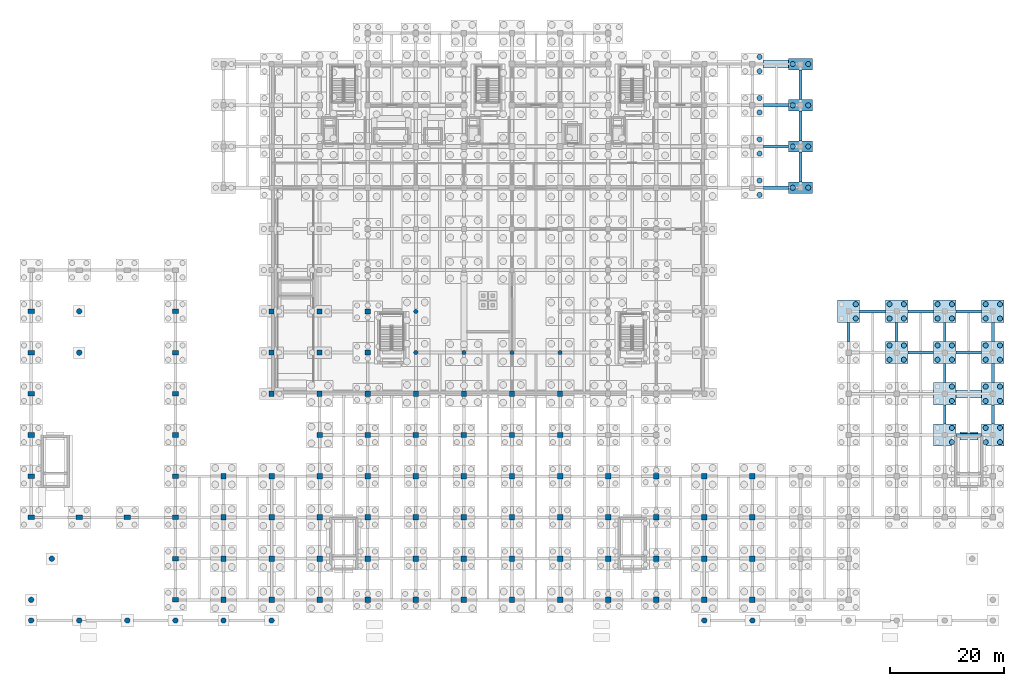
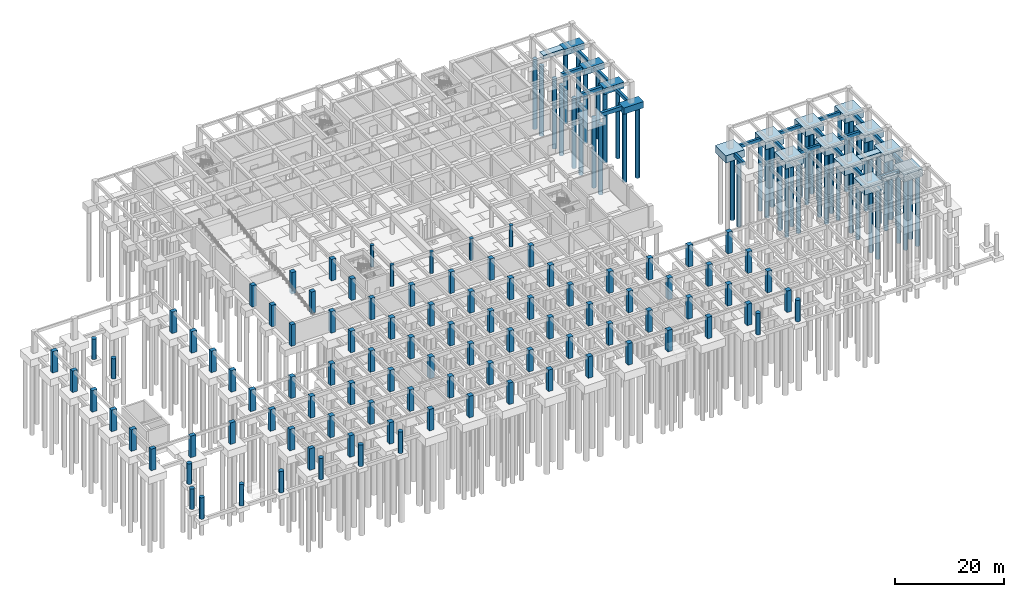
# One storey, part 11 of 26: 100 columns, 54 piles, 38 footings.
"""IFC4 building model written with IfcOpenShell, lengths in metres."""

from ifc_helpers import new_model, si_unit, direction, frame, origin, origin_2d, place, context, subcontext, project, spatial, rectangle, circle, extrude, material, material_profile, profile_set, type_object, element, save


model = new_model("IFC4")

# Units and contexts
model_context = context("Model", 3, precision=1e-05, world=origin(), true_north=direction((0.0, 1.0)))
body_context = subcontext(model_context, "Body", "Model", "MODEL_VIEW")
ifc_project = project(units=[si_unit("LENGTHUNIT", "METRE"), si_unit("AREAUNIT", "SQUARE_METRE"), si_unit("VOLUMEUNIT", "CUBIC_METRE"), si_unit("PLANEANGLEUNIT", "RADIAN"), si_unit("MASSUNIT", "GRAM", prefix="KILO")], contexts=[model_context])

# Site, building, storey
site_placement = place(None, origin())
site = spatial("IfcSite", under=ifc_project, at=site_placement, CompositionType="ELEMENT")
building_placement = place(site_placement, origin())
building = spatial("IfcBuilding", under=site, at=building_placement, Name="Kenerak Square Central Library", CompositionType="ELEMENT")
storey_placement = place(building_placement, frame((0.0, 0.0, -4.800048828125)))
storey = spatial("IfcBuildingStorey", under=building, at=storey_placement, Name="B1", CompositionType="ELEMENT", Elevation=-4.800048828125)

# Piles
ifc_material_1 = material(Name="Concrete C40/50", Category="concrete")
ifc_material_profile_1 = material_profile(ifc_material_1, circle(Radius=0.449951171875, at=origin_2d()), Name="BP D900")
ifc_profile_set_1 = profile_set([ifc_material_profile_1], Name="Concrete C40/50")
pile_type = type_object("IfcPileType", Name="Bored Pile D900 C40/50", PredefinedType="BORED", material=ifc_profile_set_1)
for number, where, z_axis, x_axis, name in (
    (1, (135.25, 87.550048828125, -1.5), (0.0, 0.0, -1.0), (1.0, 0.0, 0.0), "Bored Pile BP-900 0746"),
    (2, (135.25, 90.050048828125, -1.5), (0.0, 0.0, -1.0), (1.0, 0.0, 0.0), "Bored Pile BP-900 0748"),
    (3, (135.25, 94.75, -1.5), (0.0, 0.0, -1.0), (1.0, 0.0, 0.0), "Bored Pile BP-900 0750"),
    (4, (135.25, 97.25, -1.5), (0.0, 0.0, -1.0), (1.0, 0.0, 0.0), "Bored Pile BP-900 0752"),
    (5, (135.25, 101.949951171875, -1.5), (0.0, 0.0, -1.0), (1.0, 0.0, 0.0), "Bored Pile BP-900 0754"),
    (6, (135.25, 104.449951171875, -1.5), (0.0, 0.0, -1.0), (1.0, 0.0, 0.0), "Bored Pile BP-900 0756"),
    (7, (135.25, 109.14990234375, -1.5), (0.0, 0.0, -1.0), (1.0, 0.0, 0.0), "Bored Pile BP-900 0758"),
    (8, (135.25, 111.64990234375, -1.5), (0.0, 0.0, -1.0), (1.0, 0.0, 0.0), "Bored Pile BP-900 0760"),
):
    element("IfcPile", number, at=place(storey_placement, frame(where, z_axis=z_axis, x_axis=x_axis)), inside=storey, type_object=pile_type, Name=name, PredefinedType="BORED", context=body_context, shape_type="SweptSolid", body=[
        extrude(circle(Radius=0.449951171875, at=origin_2d()), origin(), (0.0, 0.0, 1.0), 15.699951171875),
    ])
for number, where, z_axis, x_axis, name in (
    (9, (141.050048828125, 88.800048828125, -1.300048828125), (0.0, 0.0, -1.0), (1.0, 0.0, 0.0), "Bored Pile BP-900 0777"),
    (10, (143.75, 88.800048828125, -1.300048828125), (0.0, 0.0, -1.0), (1.0, 0.0, 0.0), "Bored Pile BP-900 0778"),
    (11, (141.050048828125, 96.0, -1.300048828125), (0.0, 0.0, -1.0), (1.0, 0.0, 0.0), "Bored Pile BP-900 0779"),
    (12, (143.75, 96.0, -1.300048828125), (0.0, 0.0, -1.0), (1.0, 0.0, 0.0), "Bored Pile BP-900 0780"),
    (13, (141.050048828125, 103.199951171875, -1.300048828125), (0.0, 0.0, -1.0), (1.0, 0.0, 0.0), "Bored Pile BP-900 0781"),
    (14, (143.75, 103.199951171875, -1.300048828125), (0.0, 0.0, -1.0), (1.0, 0.0, 0.0), "Bored Pile BP-900 0782"),
    (15, (141.050048828125, 110.39990234375, -1.300048828125), (0.0, 0.0, -1.0), (1.0, 0.0, 0.0), "Bored Pile BP-900 0783"),
    (16, (143.75, 110.39990234375, -1.300048828125), (0.0, 0.0, -1.0), (1.0, 0.0, 0.0), "Bored Pile BP-900 0784"),
):
    element("IfcPile", number, at=place(storey_placement, frame(where, z_axis=z_axis, x_axis=x_axis)), inside=storey, type_object=pile_type, Name=name, PredefinedType="BORED", context=body_context, shape_type="SweptSolid", body=[
        extrude(circle(Radius=0.449951171875, at=origin_2d()), origin(), (0.0, 0.0, 1.0), 15.89990234375),
    ])
for number, where, z_axis, x_axis, name in (
    (17, (152.050048828125, 65.949951171875, -1.5), (0.0, 0.0, -1.0), (1.0, 0.0, 0.0), "Bored Pile BP-900 0814"),
    (18, (152.050048828125, 68.449951171875, -1.5), (0.0, 0.0, -1.0), (1.0, 0.0, 0.0), "Bored Pile BP-900 0816"),
    (19, (157.949951171875, 58.75, -1.5), (0.0, 0.0, -1.0), (1.0, 0.0, 0.0), "Bored Pile BP-900 0833"),
    (20, (160.449951171875, 58.75, -1.5), (0.0, 0.0, -1.0), (1.0, 0.0, 0.0), "Bored Pile BP-900 0834"),
    (21, (157.949951171875, 61.25, -1.5), (0.0, 0.0, -1.0), (1.0, 0.0, 0.0), "Bored Pile BP-900 0835"),
    (22, (160.449951171875, 61.25, -1.5), (0.0, 0.0, -1.0), (1.0, 0.0, 0.0), "Bored Pile BP-900 0836"),
    (23, (157.949951171875, 65.949951171875, -1.5), (0.0, 0.0, -1.0), (1.0, 0.0, 0.0), "Bored Pile BP-900 0837"),
    (24, (160.449951171875, 65.949951171875, -1.5), (0.0, 0.0, -1.0), (1.0, 0.0, 0.0), "Bored Pile BP-900 0838"),
    (25, (157.949951171875, 68.449951171875, -1.5), (0.0, 0.0, -1.0), (1.0, 0.0, 0.0), "Bored Pile BP-900 0839"),
    (26, (160.449951171875, 68.449951171875, -1.5), (0.0, 0.0, -1.0), (1.0, 0.0, 0.0), "Bored Pile BP-900 0840"),
    (27, (168.85009765625, 44.35009765625, -1.5), (0.0, 0.0, -1.0), (1.0, 0.0, 0.0), "Bored Pile BP-900 0850"),
    (28, (168.85009765625, 46.85009765625, -1.5), (0.0, 0.0, -1.0), (1.0, 0.0, 0.0), "Bored Pile BP-900 0852"),
    (29, (168.85009765625, 51.550048828125, -1.5), (0.0, 0.0, -1.0), (1.0, 0.0, 0.0), "Bored Pile BP-900 0854"),
    (30, (168.85009765625, 54.050048828125, -1.5), (0.0, 0.0, -1.0), (1.0, 0.0, 0.0), "Bored Pile BP-900 0856"),
    (31, (166.35009765625, 58.75, -1.5), (0.0, 0.0, -1.0), (1.0, 0.0, 0.0), "Bored Pile BP-900 0857"),
    (32, (168.85009765625, 58.75, -1.5), (0.0, 0.0, -1.0), (1.0, 0.0, 0.0), "Bored Pile BP-900 0858"),
    (33, (166.35009765625, 61.25, -1.5), (0.0, 0.0, -1.0), (1.0, 0.0, 0.0), "Bored Pile BP-900 0859"),
    (34, (168.85009765625, 61.25, -1.5), (0.0, 0.0, -1.0), (1.0, 0.0, 0.0), "Bored Pile BP-900 0860"),
    (35, (166.35009765625, 65.949951171875, -1.5), (0.0, 0.0, -1.0), (1.0, 0.0, 0.0), "Bored Pile BP-900 0861"),
    (36, (168.85009765625, 65.949951171875, -1.5), (0.0, 0.0, -1.0), (1.0, 0.0, 0.0), "Bored Pile BP-900 0862"),
    (37, (166.35009765625, 68.449951171875, -1.5), (0.0, 0.0, -1.0), (1.0, 0.0, 0.0), "Bored Pile BP-900 0863"),
    (38, (168.85009765625, 68.449951171875, -1.5), (0.0, 0.0, -1.0), (1.0, 0.0, 0.0), "Bored Pile BP-900 0864"),
    (39, (174.75, 44.35009765625, -1.5), (0.0, 0.0, -1.0), (1.0, 0.0, 0.0), "Bored Pile BP-900 0873"),
    (40, (177.25, 44.35009765625, -1.5), (0.0, 0.0, -1.0), (1.0, 0.0, 0.0), "Bored Pile BP-900 0874"),
    (41, (174.75, 46.85009765625, -1.5), (0.0, 0.0, -1.0), (1.0, 0.0, 0.0), "Bored Pile BP-900 0875"),
    (42, (177.25, 46.85009765625, -1.5), (0.0, 0.0, -1.0), (1.0, 0.0, 0.0), "Bored Pile BP-900 0876"),
    (43, (174.75, 51.550048828125, -1.5), (0.0, 0.0, -1.0), (1.0, 0.0, 0.0), "Bored Pile BP-900 0877"),
    (44, (177.25, 51.550048828125, -1.5), (0.0, 0.0, -1.0), (1.0, 0.0, 0.0), "Bored Pile BP-900 0878"),
    (45, (174.75, 54.050048828125, -1.5), (0.0, 0.0, -1.0), (1.0, 0.0, 0.0), "Bored Pile BP-900 0879"),
    (46, (177.25, 54.050048828125, -1.5), (0.0, 0.0, -1.0), (1.0, 0.0, 0.0), "Bored Pile BP-900 0880"),
    (47, (174.75, 58.75, -1.5), (0.0, 0.0, -1.0), (1.0, 0.0, 0.0), "Bored Pile BP-900 0881"),
    (48, (177.25, 58.75, -1.5), (0.0, 0.0, -1.0), (1.0, 0.0, 0.0), "Bored Pile BP-900 0882"),
    (49, (174.75, 61.25, -1.5), (0.0, 0.0, -1.0), (1.0, 0.0, 0.0), "Bored Pile BP-900 0883"),
    (50, (177.25, 61.25, -1.5), (0.0, 0.0, -1.0), (1.0, 0.0, 0.0), "Bored Pile BP-900 0884"),
    (51, (174.75, 65.949951171875, -1.5), (0.0, 0.0, -1.0), (1.0, 0.0, 0.0), "Bored Pile BP-900 0885"),
    (52, (177.25, 65.949951171875, -1.5), (0.0, 0.0, -1.0), (1.0, 0.0, 0.0), "Bored Pile BP-900 0886"),
    (53, (174.75, 68.449951171875, -1.5), (0.0, 0.0, -1.0), (1.0, 0.0, 0.0), "Bored Pile BP-900 0887"),
    (54, (177.25, 68.449951171875, -1.5), (0.0, 0.0, -1.0), (1.0, 0.0, 0.0), "Bored Pile BP-900 0888"),
):
    element("IfcPile", number, at=place(storey_placement, frame(where, z_axis=z_axis, x_axis=x_axis)), inside=storey, type_object=pile_type, Name=name, PredefinedType="BORED", context=body_context, shape_type="SweptSolid", body=[
        extrude(circle(Radius=0.449951171875, at=origin_2d()), origin(), (0.0, 0.0, 1.0), 15.699951171875),
    ])

# Footings
footing_type_1 = type_object("IfcFootingType", Name="Ground Tie Beam GB-01 500x750", PredefinedType="FOOTING_BEAM", material=ifc_material_1)
for number, where, z_axis, x_axis, name in (
    (55, (142.39990234375, 92.39990234375, -0.75), (0.0, 0.0, 1.0), (1.0, 0.0, 0.0), "Ground Tie Beam 281"),
    (56, (142.39990234375, 99.60009765625, -0.75), (0.0, 0.0, 1.0), (1.0, 0.0, 0.0), "Ground Tie Beam 282"),
    (57, (142.39990234375, 106.800048828125, -0.75), (0.0, 0.0, 1.0), (1.0, 0.0, 0.0), "Ground Tie Beam 283"),
):
    element("IfcFooting", number, at=place(storey_placement, frame(where, z_axis=z_axis, x_axis=x_axis)), inside=storey, type_object=footing_type_1, Name=name, PredefinedType="FOOTING_BEAM", context=body_context, shape_type="SweptSolid", body=[
        extrude(rectangle(XDim=0.5, YDim=5.199951171875, at=origin_2d()), origin(), (0.0, 0.0, 1.0), 0.75),
    ])
footing_1_placement = place(storey_placement, frame((150.800048828125, 63.60009765625, -0.75), z_axis=(0.0, 0.0, 1.0), x_axis=(1.0, 0.0, 0.0)))
element("IfcFooting", 58, at=footing_1_placement, inside=storey, type_object=footing_type_1, Name="Ground Tie Beam 295", PredefinedType="FOOTING_BEAM", context=body_context, shape_type="SweptSolid", body=[
    extrude(rectangle(XDim=0.5, YDim=3.300048828125, at=origin_2d()), origin(), (0.0, 0.0, 1.0), 0.75),
])
for number, where, z_axis, x_axis, name in (
    (59, (155.0, 67.199951171875, -0.75), (0.0, 0.0, 1.0), (1.0, 0.0, 0.0), "Ground Tie Beam 296"),
    (60, (163.39990234375, 60.0, -0.75), (0.0, 0.0, 1.0), (1.0, 0.0, 0.0), "Ground Tie Beam 305"),
):
    element("IfcFooting", number, at=place(storey_placement, frame(where, z_axis=z_axis, x_axis=x_axis)), inside=storey, type_object=footing_type_1, Name=name, PredefinedType="FOOTING_BEAM", context=body_context, shape_type="SweptSolid", body=[
        extrude(rectangle(XDim=4.5, YDim=0.5, at=origin_2d()), origin(), (0.0, 0.0, 1.0), 0.75),
    ])
footing_2_placement = place(storey_placement, frame((159.199951171875, 63.60009765625, -0.75), z_axis=(0.0, 0.0, 1.0), x_axis=(1.0, 0.0, 0.0)))
element("IfcFooting", 61, at=footing_2_placement, inside=storey, type_object=footing_type_1, Name="Ground Tie Beam 306", PredefinedType="FOOTING_BEAM", context=body_context, shape_type="SweptSolid", body=[
    extrude(rectangle(XDim=0.5, YDim=3.300048828125, at=origin_2d()), origin(), (0.0, 0.0, 1.0), 0.75),
])
for number, where, z_axis, x_axis, name in (
    (62, (163.39990234375, 67.199951171875, -0.75), (0.0, 0.0, 1.0), (1.0, 0.0, 0.0), "Ground Tie Beam 307"),
    (63, (171.800048828125, 45.60009765625, -0.75), (0.0, 0.0, 1.0), (1.0, 0.0, 0.0), "Ground Tie Beam 313"),
):
    element("IfcFooting", number, at=place(storey_placement, frame(where, z_axis=z_axis, x_axis=x_axis)), inside=storey, type_object=footing_type_1, Name=name, PredefinedType="FOOTING_BEAM", context=body_context, shape_type="SweptSolid", body=[
        extrude(rectangle(XDim=4.5, YDim=0.5, at=origin_2d()), origin(), (0.0, 0.0, 1.0), 0.75),
    ])
for number, where, z_axis, x_axis, name in (
    (64, (167.60009765625, 49.199951171875, -0.75), (0.0, 0.0, 1.0), (1.0, 0.0, 0.0), "Ground Tie Beam 314"),
    (65, (167.60009765625, 56.39990234375, -0.75), (0.0, 0.0, 1.0), (1.0, 0.0, 0.0), "Ground Tie Beam 315"),
):
    element("IfcFooting", number, at=place(storey_placement, frame(where, z_axis=z_axis, x_axis=x_axis)), inside=storey, type_object=footing_type_1, Name=name, PredefinedType="FOOTING_BEAM", context=body_context, shape_type="SweptSolid", body=[
        extrude(rectangle(XDim=0.5, YDim=3.300048828125, at=origin_2d()), origin(), (0.0, 0.0, 1.0), 0.75),
    ])
footing_3_placement = place(storey_placement, frame((171.800048828125, 60.0, -0.75), z_axis=(0.0, 0.0, 1.0), x_axis=(1.0, 0.0, 0.0)))
element("IfcFooting", 66, at=footing_3_placement, inside=storey, type_object=footing_type_1, Name="Ground Tie Beam 316", PredefinedType="FOOTING_BEAM", context=body_context, shape_type="SweptSolid", body=[
    extrude(rectangle(XDim=4.5, YDim=0.5, at=origin_2d()), origin(), (0.0, 0.0, 1.0), 0.75),
])
footing_4_placement = place(storey_placement, frame((167.60009765625, 63.60009765625, -0.75), z_axis=(0.0, 0.0, 1.0), x_axis=(1.0, 0.0, 0.0)))
element("IfcFooting", 67, at=footing_4_placement, inside=storey, type_object=footing_type_1, Name="Ground Tie Beam 317", PredefinedType="FOOTING_BEAM", context=body_context, shape_type="SweptSolid", body=[
    extrude(rectangle(XDim=0.5, YDim=3.300048828125, at=origin_2d()), origin(), (0.0, 0.0, 1.0), 0.75),
])
footing_5_placement = place(storey_placement, frame((171.800048828125, 67.199951171875, -0.75), z_axis=(0.0, 0.0, 1.0), x_axis=(1.0, 0.0, 0.0)))
element("IfcFooting", 68, at=footing_5_placement, inside=storey, type_object=footing_type_1, Name="Ground Tie Beam 318", PredefinedType="FOOTING_BEAM", context=body_context, shape_type="SweptSolid", body=[
    extrude(rectangle(XDim=4.5, YDim=0.5, at=origin_2d()), origin(), (0.0, 0.0, 1.0), 0.75),
])
for number, where, z_axis, x_axis, name in (
    (69, (176.0, 49.199951171875, -0.75), (0.0, 0.0, 1.0), (1.0, 0.0, 0.0), "Ground Tie Beam 321"),
    (70, (176.0, 56.39990234375, -0.75), (0.0, 0.0, 1.0), (1.0, 0.0, 0.0), "Ground Tie Beam 322"),
    (71, (176.0, 63.60009765625, -0.75), (0.0, 0.0, 1.0), (1.0, 0.0, 0.0), "Ground Tie Beam 323"),
):
    element("IfcFooting", number, at=place(storey_placement, frame(where, z_axis=z_axis, x_axis=x_axis)), inside=storey, type_object=footing_type_1, Name=name, PredefinedType="FOOTING_BEAM", context=body_context, shape_type="SweptSolid", body=[
        extrude(rectangle(XDim=0.5, YDim=3.300048828125, at=origin_2d()), origin(), (0.0, 0.0, 1.0), 0.75),
    ])
footing_type_2 = type_object("IfcFootingType", Name="Ground Tie Beam GB-03 600x850", PredefinedType="FOOTING_BEAM", material=ifc_material_1)
for number, where, z_axis, x_axis, name in (
    (72, (138.125, 88.800048828125, -0.85009765625), (0.0, 0.0, 1.0), (1.0, 0.0, 0.0), "Ground Tie Beam 267"),
    (73, (138.125, 96.0, -0.85009765625), (0.0, 0.0, 1.0), (1.0, 0.0, 0.0), "Ground Tie Beam 269"),
    (74, (138.125, 103.199951171875, -0.85009765625), (0.0, 0.0, 1.0), (1.0, 0.0, 0.0), "Ground Tie Beam 271"),
):
    element("IfcFooting", number, at=place(storey_placement, frame(where, z_axis=z_axis, x_axis=x_axis)), inside=storey, type_object=footing_type_2, Name=name, PredefinedType="FOOTING_BEAM", context=body_context, shape_type="SweptSolid", body=[
        extrude(rectangle(XDim=4.35009765625, YDim=0.60009765625, at=origin_2d()), origin(), (0.0, 0.0, 1.0), 0.85009765625),
    ])
footing_type_3 = type_object("IfcFootingType", Name="Pile Cap PC-01 4200x2000x1400", PredefinedType="PILE_CAP", material=ifc_material_1)
for number, where, z_axis, x_axis, name in (
    (75, (142.39990234375, 88.800048828125, -1.39990234375), (0.0, 0.0, 1.0), (1.0, 0.0, 0.0), "Pile Cap PC-01 183"),
    (76, (142.39990234375, 96.0, -1.39990234375), (0.0, 0.0, 1.0), (1.0, 0.0, 0.0), "Pile Cap PC-01 184"),
    (77, (142.39990234375, 103.199951171875, -1.39990234375), (0.0, 0.0, 1.0), (1.0, 0.0, 0.0), "Pile Cap PC-01 185"),
    (78, (142.39990234375, 110.39990234375, -1.39990234375), (0.0, 0.0, 1.0), (1.0, 0.0, 0.0), "Pile Cap PC-01 186"),
):
    element("IfcFooting", number, at=place(storey_placement, frame(where, z_axis=z_axis, x_axis=x_axis)), inside=storey, type_object=footing_type_3, Name=name, PredefinedType="PILE_CAP", context=body_context, shape_type="SweptSolid", body=[
        extrude(rectangle(XDim=4.199951171875, YDim=2.0, at=origin_2d()), origin(), (0.0, 0.0, 1.0), 1.39990234375),
    ])
footing_type_4 = type_object("IfcFootingType", Name="Pile Cap PC-03 3900x3900x1600", PredefinedType="PILE_CAP", material=ifc_material_1)
for number, where, z_axis, x_axis, name in (
    (79, (150.800048828125, 67.199951171875, -1.60009765625), (0.0, 0.0, 1.0), (1.0, 0.0, 0.0), "Pile Cap PC-03 194"),
    (80, (159.199951171875, 60.0, -1.60009765625), (0.0, 0.0, 1.0), (1.0, 0.0, 0.0), "Pile Cap PC-03 199"),
    (81, (159.199951171875, 67.199951171875, -1.60009765625), (0.0, 0.0, 1.0), (1.0, 0.0, 0.0), "Pile Cap PC-03 200"),
    (82, (167.60009765625, 45.60009765625, -1.60009765625), (0.0, 0.0, 1.0), (1.0, 0.0, 0.0), "Pile Cap PC-03 203"),
    (83, (167.60009765625, 52.800048828125, -1.60009765625), (0.0, 0.0, 1.0), (1.0, 0.0, 0.0), "Pile Cap PC-03 204"),
    (84, (167.60009765625, 60.0, -1.60009765625), (0.0, 0.0, 1.0), (1.0, 0.0, 0.0), "Pile Cap PC-03 205"),
    (85, (167.60009765625, 67.199951171875, -1.60009765625), (0.0, 0.0, 1.0), (1.0, 0.0, 0.0), "Pile Cap PC-03 206"),
    (86, (176.0, 45.60009765625, -1.60009765625), (0.0, 0.0, 1.0), (1.0, 0.0, 0.0), "Pile Cap PC-03 209"),
    (87, (176.0, 52.800048828125, -1.60009765625), (0.0, 0.0, 1.0), (1.0, 0.0, 0.0), "Pile Cap PC-03 210"),
    (88, (176.0, 60.0, -1.60009765625), (0.0, 0.0, 1.0), (1.0, 0.0, 0.0), "Pile Cap PC-03 211"),
    (89, (176.0, 67.199951171875, -1.60009765625), (0.0, 0.0, 1.0), (1.0, 0.0, 0.0), "Pile Cap PC-03 212"),
):
    element("IfcFooting", number, at=place(storey_placement, frame(where, z_axis=z_axis, x_axis=x_axis)), inside=storey, type_object=footing_type_4, Name=name, PredefinedType="PILE_CAP", context=body_context, shape_type="SweptSolid", body=[
        extrude(rectangle(XDim=3.89990234375, YDim=3.89990234375, at=origin_2d()), origin(), (0.0, 0.0, 1.0), 1.60009765625),
    ])
footing_type_5 = type_object("IfcFootingType", Name="Wall Strip Footing SF-01 1400x900", PredefinedType="STRIP_FOOTING", material=ifc_material_1)
footing_6_placement = place(storey_placement, frame((138.125, 110.39990234375, -0.89990234375), z_axis=(0.0, 0.0, 1.0), x_axis=(1.0, 0.0, 0.0)))
element("IfcFooting", 90, at=footing_6_placement, inside=storey, type_object=footing_type_5, Name="Strip Footing SF-01 043", PredefinedType="STRIP_FOOTING", context=body_context, shape_type="SweptSolid", body=[
    extrude(rectangle(XDim=4.35009765625, YDim=1.39990234375, at=origin_2d()), origin(), (0.0, 0.0, 1.0), 0.89990234375),
])
footing_7_placement = place(storey_placement, frame((171.800048828125, 52.800048828125, -0.89990234375), z_axis=(0.0, 0.0, 1.0), x_axis=(1.0, 0.0, 0.0)))
element("IfcFooting", 91, at=footing_7_placement, inside=storey, type_object=footing_type_5, Name="Strip Footing SF-01 046", PredefinedType="STRIP_FOOTING", context=body_context, shape_type="SweptSolid", body=[
    extrude(rectangle(XDim=4.5, YDim=1.39990234375, at=origin_2d()), origin(), (0.0, 0.0, 1.0), 0.89990234375),
])
footing_8_placement = place(storey_placement, frame((171.800048828125, 45.39990234375, -0.89990234375), z_axis=(0.0, 0.0, 1.0), x_axis=(1.0, 0.0, 0.0)))
element("IfcFooting", 92, at=footing_8_placement, inside=storey, type_object=footing_type_5, Name="Strip Footing SF-01 SFCW-C7 N", PredefinedType="STRIP_FOOTING", context=body_context, shape_type="SweptSolid", body=[
    extrude(rectangle(XDim=3.159912109375, YDim=1.39990234375, at=origin_2d()), origin(), (0.0, 0.0, 1.0), 0.89990234375),
])

# Columns
ifc_material_profile_2 = material_profile(ifc_material_1, circle(Radius=0.375, at=origin_2d()), Name="RC D750")
ifc_profile_set_2 = profile_set([ifc_material_profile_2], Name="Concrete C40/50")
column_type_1 = type_object("IfcColumnType", Name="Atrium Column C-13 RC D750 C40/50", PredefinedType="COLUMN", material=ifc_profile_set_2)
for number, where, z_axis, x_axis, name in (
    (93, (75.199951171875, 60.0, 0.0), (0.0, 0.0, 1.0), (1.0, 0.0, 0.0), "Column C-13 B1 9/J"),
    (94, (75.199951171875, 67.199951171875, 0.0), (0.0, 0.0, 1.0), (1.0, 0.0, 0.0), "Column C-13 B1 9/K"),
    (95, (83.60009765625, 60.0, 0.0), (0.0, 0.0, 1.0), (1.0, 0.0, 0.0), "Column C-13 B1 10/J"),
    (96, (92.0, 60.0, 0.0), (0.0, 0.0, 1.0), (1.0, 0.0, 0.0), "Column C-13 B1 11/J"),
    (97, (100.39990234375, 60.0, 0.0), (0.0, 0.0, 1.0), (1.0, 0.0, 0.0), "Column C-13 B1 12/J"),
):
    element("IfcColumn", number, at=place(storey_placement, frame(where, z_axis=z_axis, x_axis=x_axis)), inside=storey, type_object=column_type_1, Name=name, PredefinedType="COLUMN", context=body_context, shape_type="SweptSolid", body=[
        extrude(circle(Radius=0.375, at=origin_2d()), origin(), (0.0, 0.0, 1.0), 4.800048828125),
    ])
ifc_material_2 = material(Name="Concrete C45/55", Category="concrete")
ifc_material_profile_3 = material_profile(ifc_material_2, circle(Radius=0.47509765625, at=origin_2d()), Name="RC D950")
ifc_profile_set_3 = profile_set([ifc_material_profile_3], Name="Concrete C45/55")
column_type_2 = type_object("IfcColumnType", Name="Colonnade Foundation Pier C-17 RC D950 C45/55", PredefinedType="COLUMN", material=ifc_profile_set_3)
for number, where, z_axis, x_axis, name in (
    (98, (8.0, 13.199951171875, 0.0), (0.0, 0.0, 1.0), (1.0, 0.0, 0.0), "Colonnade Foundation Pier C-17 01"),
    (99, (16.39990234375, 13.199951171875, 0.0), (0.0, 0.0, 1.0), (1.0, 0.0, 0.0), "Colonnade Foundation Pier C-17 02"),
    (100, (24.800048828125, 13.199951171875, 0.0), (0.0, 0.0, 1.0), (1.0, 0.0, 0.0), "Colonnade Foundation Pier C-17 03"),
    (101, (33.199951171875, 13.199951171875, 0.0), (0.0, 0.0, 1.0), (1.0, 0.0, 0.0), "Colonnade Foundation Pier C-17 04"),
    (102, (41.60009765625, 13.199951171875, 0.0), (0.0, 0.0, 1.0), (1.0, 0.0, 0.0), "Colonnade Foundation Pier C-17 05"),
    (103, (50.0, 13.199951171875, 0.0), (0.0, 0.0, 1.0), (1.0, 0.0, 0.0), "Colonnade Foundation Pier C-17 06"),
    (104, (125.60009765625, 13.199951171875, 0.0), (0.0, 0.0, 1.0), (1.0, 0.0, 0.0), "Colonnade Foundation Pier C-17 07"),
    (105, (134.0, 13.199951171875, 0.0), (0.0, 0.0, 1.0), (1.0, 0.0, 0.0), "Colonnade Foundation Pier C-17 08"),
):
    element("IfcColumn", number, at=place(storey_placement, frame(where, z_axis=z_axis, x_axis=x_axis)), inside=storey, type_object=column_type_2, Name=name, PredefinedType="COLUMN", context=body_context, shape_type="SweptSolid", body=[
        extrude(circle(Radius=0.47509765625, at=origin_2d()), origin(), (0.0, 0.0, 1.0), 4.800048828125),
    ])
for number, where, z_axis, x_axis, name in (
    (106, (8.0, 16.800048828125, 0.0), (0.0, 0.0, 1.0), (1.0, 0.0, 0.0), "Colonnade Sub-Grade Pier C-17 CSUB01"),
    (107, (11.60009765625, 24.0, 0.0), (0.0, 0.0, 1.0), (1.0, 0.0, 0.0), "Colonnade Sub-Grade Pier C-17 CSUB02"),
    (108, (16.39990234375, 60.0, 0.0), (0.0, 0.0, 1.0), (1.0, 0.0, 0.0), "Colonnade Sub-Grade Pier C-17 CSUB05"),
    (109, (16.39990234375, 67.199951171875, 0.0), (0.0, 0.0, 1.0), (1.0, 0.0, 0.0), "Colonnade Sub-Grade Pier C-17 CSUB06"),
):
    element("IfcColumn", number, at=place(storey_placement, frame(where, z_axis=z_axis, x_axis=x_axis)), inside=storey, type_object=column_type_2, Name=name, PredefinedType="COLUMN", context=body_context, shape_type="SweptSolid", body=[
        extrude(circle(Radius=0.47509765625, at=origin_2d()), origin(), (0.0, 0.0, 1.0), 4.550048828125),
    ])
ifc_material_profile_4 = material_profile(ifc_material_2, rectangle(XDim=0.89990234375, YDim=0.89990234375, at=origin_2d()), Name="RC 900x900")
ifc_profile_set_4 = profile_set([ifc_material_profile_4], Name="Concrete C45/55")
column_type_3 = type_object("IfcColumnType", Name="Column C-02 RC 900x900 C45/55", PredefinedType="COLUMN", material=ifc_profile_set_4)
for number, where, z_axis, x_axis, name in (
    (110, (50.0, 52.800048828125, 0.0), (0.0, 0.0, 1.0), (1.0, 0.0, 0.0), "Column C-02 B1 6/H"),
    (111, (50.0, 60.0, 0.0), (0.0, 0.0, 1.0), (1.0, 0.0, 0.0), "Column C-02 B1 6/J"),
    (112, (50.0, 67.199951171875, 0.0), (0.0, 0.0, 1.0), (1.0, 0.0, 0.0), "Column C-02 B1 6/K"),
    (113, (58.39990234375, 52.800048828125, 0.0), (0.0, 0.0, 1.0), (1.0, 0.0, 0.0), "Column C-02 B1 7/H"),
    (114, (58.39990234375, 60.0, 0.0), (0.0, 0.0, 1.0), (1.0, 0.0, 0.0), "Column C-02 B1 7/J"),
    (115, (58.39990234375, 67.199951171875, 0.0), (0.0, 0.0, 1.0), (1.0, 0.0, 0.0), "Column C-02 B1 7/K"),
    (116, (66.800048828125, 52.800048828125, 0.0), (0.0, 0.0, 1.0), (1.0, 0.0, 0.0), "Column C-02 B1 8/H"),
    (117, (66.800048828125, 60.0, 0.0), (0.0, 0.0, 1.0), (1.0, 0.0, 0.0), "Column C-02 B1 8/J"),
    (118, (66.800048828125, 67.199951171875, 0.0), (0.0, 0.0, 1.0), (1.0, 0.0, 0.0), "Column C-02 B1 8/K"),
    (119, (75.199951171875, 52.800048828125, 0.0), (0.0, 0.0, 1.0), (1.0, 0.0, 0.0), "Column C-02 B1 9/H"),
    (120, (83.60009765625, 52.800048828125, 0.0), (0.0, 0.0, 1.0), (1.0, 0.0, 0.0), "Column C-02 B1 10/H"),
    (121, (92.0, 52.800048828125, 0.0), (0.0, 0.0, 1.0), (1.0, 0.0, 0.0), "Column C-02 B1 11/H"),
    (122, (100.39990234375, 52.800048828125, 0.0), (0.0, 0.0, 1.0), (1.0, 0.0, 0.0), "Column C-02 B1 12/H"),
):
    element("IfcColumn", number, at=place(storey_placement, frame(where, z_axis=z_axis, x_axis=x_axis)), inside=storey, type_object=column_type_3, Name=name, PredefinedType="COLUMN", context=body_context, shape_type="SweptSolid", body=[
        extrude(rectangle(XDim=0.89990234375, YDim=0.89990234375, at=origin_2d()), origin(), (0.0, 0.0, 1.0), 4.800048828125),
    ])
ifc_material_profile_5 = material_profile(ifc_material_2, rectangle(XDim=0.949951171875, YDim=0.949951171875, at=origin_2d()), Name="RC 950x950")
ifc_profile_set_5 = profile_set([ifc_material_profile_5], Name="Concrete C45/55")
column_type_4 = type_object("IfcColumnType", Name="Sub-Grade Foundation Pier C-15 RC 950x950 C45/55", PredefinedType="COLUMN", material=ifc_profile_set_5)
for number, where, z_axis, x_axis, name in (
    (123, (41.60009765625, 16.800048828125, 0.0), (0.0, 0.0, 1.0), (1.0, 0.0, 0.0), "Column C-15 B1 5/C"),
    (124, (41.60009765625, 24.0, 0.0), (0.0, 0.0, 1.0), (1.0, 0.0, 0.0), "Column C-15 B1 5/D"),
    (125, (41.60009765625, 31.199951171875, 0.0), (0.0, 0.0, 1.0), (1.0, 0.0, 0.0), "Column C-15 B1 5/E"),
    (126, (41.60009765625, 38.39990234375, 0.0), (0.0, 0.0, 1.0), (1.0, 0.0, 0.0), "Column C-15 B1 5/F"),
    (127, (50.0, 16.800048828125, 0.0), (0.0, 0.0, 1.0), (1.0, 0.0, 0.0), "Column C-15 B1 6/C"),
    (128, (50.0, 24.0, 0.0), (0.0, 0.0, 1.0), (1.0, 0.0, 0.0), "Column C-15 B1 6/D"),
    (129, (50.0, 31.199951171875, 0.0), (0.0, 0.0, 1.0), (1.0, 0.0, 0.0), "Column C-15 B1 6/E"),
    (130, (50.0, 38.39990234375, 0.0), (0.0, 0.0, 1.0), (1.0, 0.0, 0.0), "Column C-15 B1 6/F"),
    (131, (58.39990234375, 16.800048828125, 0.0), (0.0, 0.0, 1.0), (1.0, 0.0, 0.0), "Column C-15 B1 7/C"),
    (132, (58.39990234375, 24.0, 0.0), (0.0, 0.0, 1.0), (1.0, 0.0, 0.0), "Column C-15 B1 7/D"),
    (133, (58.39990234375, 31.199951171875, 0.0), (0.0, 0.0, 1.0), (1.0, 0.0, 0.0), "Column C-15 B1 7/E"),
    (134, (58.39990234375, 38.39990234375, 0.0), (0.0, 0.0, 1.0), (1.0, 0.0, 0.0), "Column C-15 B1 7/F"),
    (135, (58.39990234375, 45.60009765625, 0.0), (0.0, 0.0, 1.0), (1.0, 0.0, 0.0), "Column C-15 B1 7/G"),
    (136, (66.800048828125, 16.800048828125, 0.0), (0.0, 0.0, 1.0), (1.0, 0.0, 0.0), "Column C-15 B1 8/C"),
    (137, (66.800048828125, 24.0, 0.0), (0.0, 0.0, 1.0), (1.0, 0.0, 0.0), "Column C-15 B1 8/D"),
    (138, (66.800048828125, 31.199951171875, 0.0), (0.0, 0.0, 1.0), (1.0, 0.0, 0.0), "Column C-15 B1 8/E"),
    (139, (66.800048828125, 38.39990234375, 0.0), (0.0, 0.0, 1.0), (1.0, 0.0, 0.0), "Column C-15 B1 8/F"),
    (140, (66.800048828125, 45.60009765625, 0.0), (0.0, 0.0, 1.0), (1.0, 0.0, 0.0), "Column C-15 B1 8/G"),
    (141, (75.199951171875, 16.800048828125, 0.0), (0.0, 0.0, 1.0), (1.0, 0.0, 0.0), "Column C-15 B1 9/C"),
    (142, (75.199951171875, 24.0, 0.0), (0.0, 0.0, 1.0), (1.0, 0.0, 0.0), "Column C-15 B1 9/D"),
    (143, (75.199951171875, 31.199951171875, 0.0), (0.0, 0.0, 1.0), (1.0, 0.0, 0.0), "Column C-15 B1 9/E"),
    (144, (75.199951171875, 38.39990234375, 0.0), (0.0, 0.0, 1.0), (1.0, 0.0, 0.0), "Column C-15 B1 9/F"),
    (145, (75.199951171875, 45.60009765625, 0.0), (0.0, 0.0, 1.0), (1.0, 0.0, 0.0), "Column C-15 B1 9/G"),
    (146, (83.60009765625, 16.800048828125, 0.0), (0.0, 0.0, 1.0), (1.0, 0.0, 0.0), "Column C-15 B1 10/C"),
    (147, (83.60009765625, 24.0, 0.0), (0.0, 0.0, 1.0), (1.0, 0.0, 0.0), "Column C-15 B1 10/D"),
    (148, (83.60009765625, 31.199951171875, 0.0), (0.0, 0.0, 1.0), (1.0, 0.0, 0.0), "Column C-15 B1 10/E"),
    (149, (83.60009765625, 38.39990234375, 0.0), (0.0, 0.0, 1.0), (1.0, 0.0, 0.0), "Column C-15 B1 10/F"),
    (150, (83.60009765625, 45.60009765625, 0.0), (0.0, 0.0, 1.0), (1.0, 0.0, 0.0), "Column C-15 B1 10/G"),
    (151, (92.0, 16.800048828125, 0.0), (0.0, 0.0, 1.0), (1.0, 0.0, 0.0), "Column C-15 B1 11/C"),
    (152, (92.0, 24.0, 0.0), (0.0, 0.0, 1.0), (1.0, 0.0, 0.0), "Column C-15 B1 11/D"),
    (153, (92.0, 31.199951171875, 0.0), (0.0, 0.0, 1.0), (1.0, 0.0, 0.0), "Column C-15 B1 11/E"),
    (154, (92.0, 38.39990234375, 0.0), (0.0, 0.0, 1.0), (1.0, 0.0, 0.0), "Column C-15 B1 11/F"),
    (155, (92.0, 45.60009765625, 0.0), (0.0, 0.0, 1.0), (1.0, 0.0, 0.0), "Column C-15 B1 11/G"),
    (156, (100.39990234375, 16.800048828125, 0.0), (0.0, 0.0, 1.0), (1.0, 0.0, 0.0), "Column C-15 B1 12/C"),
    (157, (100.39990234375, 24.0, 0.0), (0.0, 0.0, 1.0), (1.0, 0.0, 0.0), "Column C-15 B1 12/D"),
    (158, (100.39990234375, 31.199951171875, 0.0), (0.0, 0.0, 1.0), (1.0, 0.0, 0.0), "Column C-15 B1 12/E"),
    (159, (100.39990234375, 38.39990234375, 0.0), (0.0, 0.0, 1.0), (1.0, 0.0, 0.0), "Column C-15 B1 12/F"),
    (160, (100.39990234375, 45.60009765625, 0.0), (0.0, 0.0, 1.0), (1.0, 0.0, 0.0), "Column C-15 B1 12/G"),
    (161, (108.800048828125, 16.800048828125, 0.0), (0.0, 0.0, 1.0), (1.0, 0.0, 0.0), "Column C-15 B1 13/C"),
    (162, (108.800048828125, 24.0, 0.0), (0.0, 0.0, 1.0), (1.0, 0.0, 0.0), "Column C-15 B1 13/D"),
    (163, (108.800048828125, 31.199951171875, 0.0), (0.0, 0.0, 1.0), (1.0, 0.0, 0.0), "Column C-15 B1 13/E"),
    (164, (108.800048828125, 38.39990234375, 0.0), (0.0, 0.0, 1.0), (1.0, 0.0, 0.0), "Column C-15 B1 13/F"),
    (165, (117.199951171875, 16.800048828125, 0.0), (0.0, 0.0, 1.0), (1.0, 0.0, 0.0), "Column C-15 B1 14/C"),
    (166, (117.199951171875, 24.0, 0.0), (0.0, 0.0, 1.0), (1.0, 0.0, 0.0), "Column C-15 B1 14/D"),
    (167, (117.199951171875, 31.199951171875, 0.0), (0.0, 0.0, 1.0), (1.0, 0.0, 0.0), "Column C-15 B1 14/E"),
    (168, (117.199951171875, 38.39990234375, 0.0), (0.0, 0.0, 1.0), (1.0, 0.0, 0.0), "Column C-15 B1 14/F"),
    (169, (125.60009765625, 16.800048828125, 0.0), (0.0, 0.0, 1.0), (1.0, 0.0, 0.0), "Column C-15 B1 15/C"),
    (170, (125.60009765625, 24.0, 0.0), (0.0, 0.0, 1.0), (1.0, 0.0, 0.0), "Column C-15 B1 15/D"),
    (171, (125.60009765625, 31.199951171875, 0.0), (0.0, 0.0, 1.0), (1.0, 0.0, 0.0), "Column C-15 B1 15/E"),
    (172, (125.60009765625, 38.39990234375, 0.0), (0.0, 0.0, 1.0), (1.0, 0.0, 0.0), "Column C-15 B1 15/F"),
    (173, (134.0, 16.800048828125, 0.0), (0.0, 0.0, 1.0), (1.0, 0.0, 0.0), "Column C-15 B1 16/C"),
    (174, (134.0, 24.0, 0.0), (0.0, 0.0, 1.0), (1.0, 0.0, 0.0), "Column C-15 B1 16/D"),
    (175, (134.0, 31.199951171875, 0.0), (0.0, 0.0, 1.0), (1.0, 0.0, 0.0), "Column C-15 B1 16/E"),
    (176, (134.0, 38.39990234375, 0.0), (0.0, 0.0, 1.0), (1.0, 0.0, 0.0), "Column C-15 B1 16/F"),
):
    element("IfcColumn", number, at=place(storey_placement, frame(where, z_axis=z_axis, x_axis=x_axis)), inside=storey, type_object=column_type_4, Name=name, PredefinedType="COLUMN", context=body_context, shape_type="SweptSolid", body=[
        extrude(rectangle(XDim=0.949951171875, YDim=0.949951171875, at=origin_2d()), origin(), (0.0, 0.0, 1.0), 4.800048828125),
    ])
ifc_material_profile_6 = material_profile(ifc_material_2, rectangle(XDim=1.10009765625, YDim=0.800048828125, at=origin_2d()), Name="RC 1100x800")
ifc_profile_set_6 = profile_set([ifc_material_profile_6], Name="Concrete C45/55")
column_type_5 = type_object("IfcColumnType", Name="Sub-Grade Wing Pier C-16 RC 1100x800 C45/55", PredefinedType="COLUMN", material=ifc_profile_set_6)
for number, where, z_axis, x_axis, name in (
    (177, (8.0, 31.199951171875, 0.0), (0.0, 0.0, 1.0), (1.0, 0.0, 0.0), "Column C-16 B1 1/E"),
    (178, (8.0, 38.39990234375, 0.0), (0.0, 0.0, 1.0), (1.0, 0.0, 0.0), "Column C-16 B1 1/F"),
    (179, (8.0, 45.60009765625, 0.0), (0.0, 0.0, 1.0), (1.0, 0.0, 0.0), "Column C-16 B1 1/G"),
    (180, (8.0, 52.800048828125, 0.0), (0.0, 0.0, 1.0), (1.0, 0.0, 0.0), "Column C-16 B1 1/H"),
    (181, (8.0, 60.0, 0.0), (0.0, 0.0, 1.0), (1.0, 0.0, 0.0), "Column C-16 B1 1/J"),
    (182, (8.0, 67.199951171875, 0.0), (0.0, 0.0, 1.0), (1.0, 0.0, 0.0), "Column C-16 B1 1/K"),
    (183, (16.39990234375, 31.199951171875, 0.0), (0.0, 0.0, 1.0), (1.0, 0.0, 0.0), "Column C-16 B1 2/E"),
    (184, (24.800048828125, 31.199951171875, 0.0), (0.0, 0.0, 1.0), (1.0, 0.0, 0.0), "Column C-16 B1 3/E"),
    (185, (33.199951171875, 16.800048828125, 0.0), (0.0, 0.0, 1.0), (1.0, 0.0, 0.0), "Column C-16 B1 4/C"),
    (186, (33.199951171875, 24.0, 0.0), (0.0, 0.0, 1.0), (1.0, 0.0, 0.0), "Column C-16 B1 4/D"),
    (187, (33.199951171875, 31.199951171875, 0.0), (0.0, 0.0, 1.0), (1.0, 0.0, 0.0), "Column C-16 B1 4/E"),
    (188, (33.199951171875, 38.39990234375, 0.0), (0.0, 0.0, 1.0), (1.0, 0.0, 0.0), "Column C-16 B1 4/F"),
    (189, (33.199951171875, 45.60009765625, 0.0), (0.0, 0.0, 1.0), (1.0, 0.0, 0.0), "Column C-16 B1 4/G"),
    (190, (33.199951171875, 52.800048828125, 0.0), (0.0, 0.0, 1.0), (1.0, 0.0, 0.0), "Column C-16 B1 4/H"),
    (191, (33.199951171875, 60.0, 0.0), (0.0, 0.0, 1.0), (1.0, 0.0, 0.0), "Column C-16 B1 4/J"),
    (192, (33.199951171875, 67.199951171875, 0.0), (0.0, 0.0, 1.0), (1.0, 0.0, 0.0), "Column C-16 B1 4/K"),
):
    element("IfcColumn", number, at=place(storey_placement, frame(where, z_axis=z_axis, x_axis=x_axis)), inside=storey, type_object=column_type_5, Name=name, PredefinedType="COLUMN", context=body_context, shape_type="SweptSolid", body=[
        extrude(rectangle(XDim=1.10009765625, YDim=0.800048828125, at=origin_2d()), origin(), (0.0, 0.0, 1.0), 4.800048828125),
    ])

save(model, "model.ifc")
